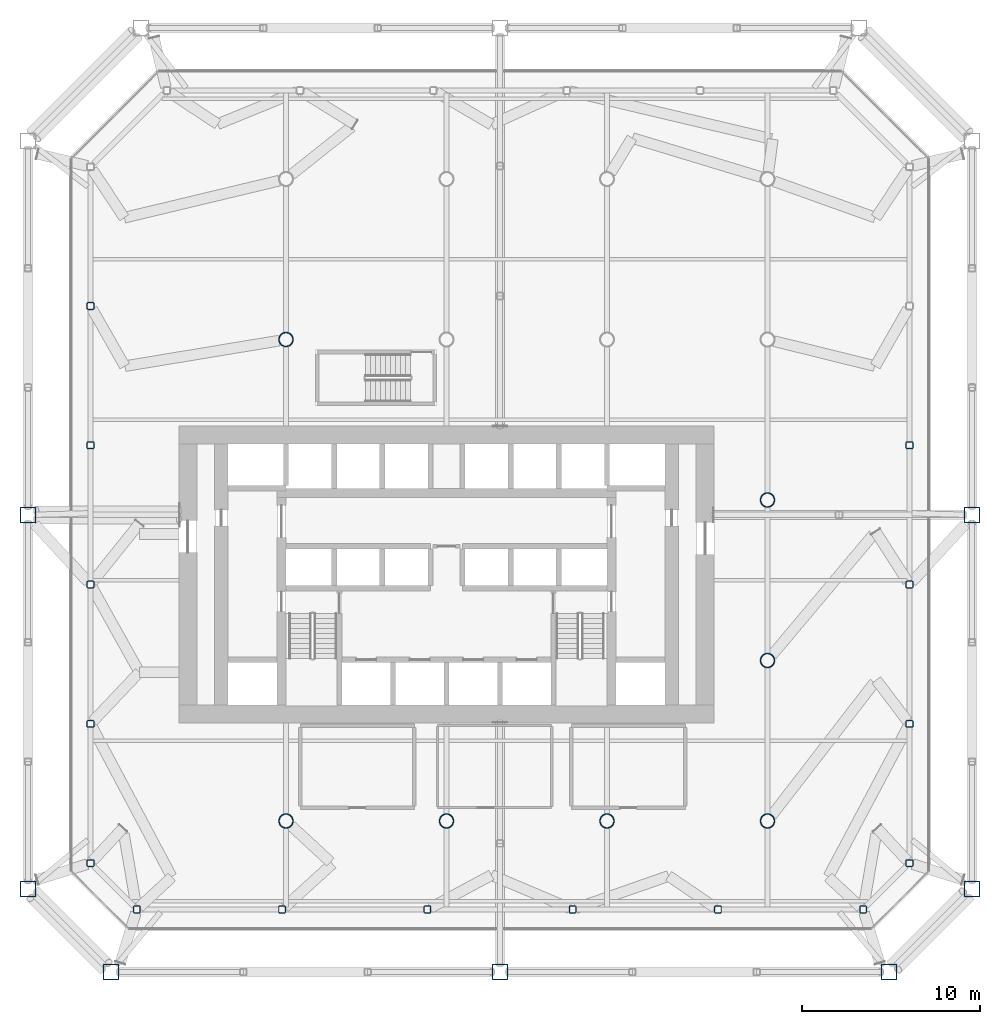
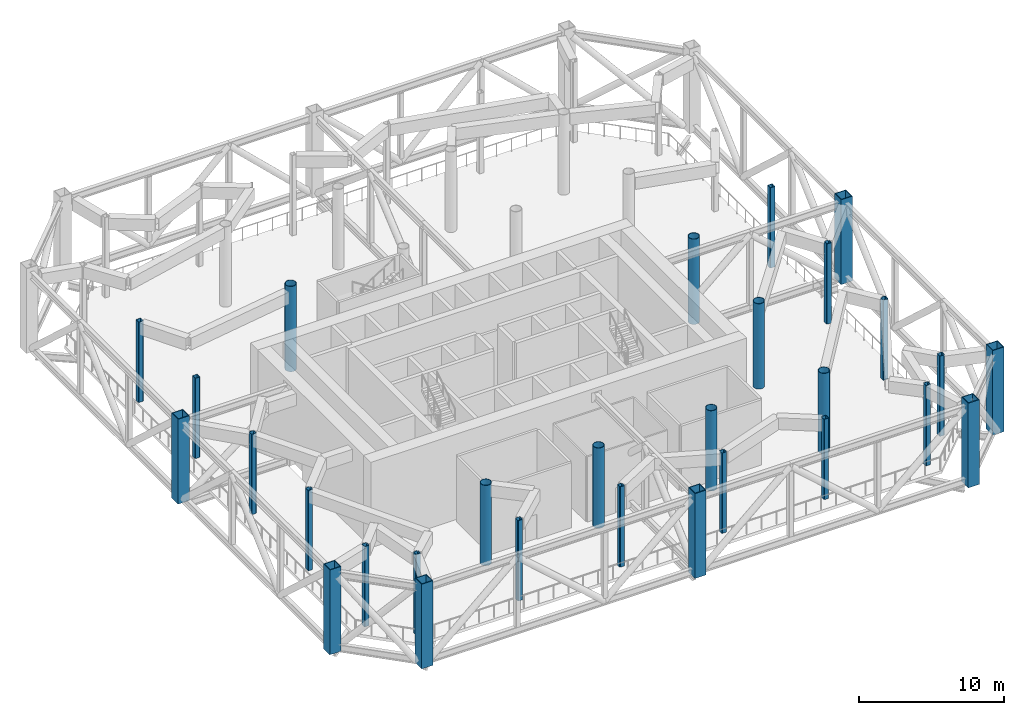
# One storey, part 1 of 20: 29 columns.
"""IFC4 building model written with IfcOpenShell, lengths in metres."""

from ifc_helpers import new_model, si_unit, direction, frame, origin, origin_2d, place, context, subcontext, project, spatial, hollow_rectangle, hollow_circle, extrude, material, material_profile, profile_set, type_object, element, save


model = new_model("IFC4")

# Units and contexts
model_context = context("Model", 3, precision=1e-05, world=origin(), true_north=direction((0.0, 1.0)))
body_context = subcontext(model_context, "Body", "Model", "MODEL_VIEW")
ifc_project = project(units=[si_unit("LENGTHUNIT", "METRE"), si_unit("AREAUNIT", "SQUARE_METRE"), si_unit("VOLUMEUNIT", "CUBIC_METRE"), si_unit("PLANEANGLEUNIT", "RADIAN"), si_unit("MASSUNIT", "GRAM", prefix="KILO")], contexts=[model_context])

# Site, building, storey
site_placement = place(None, origin())
site = spatial("IfcSite", under=ifc_project, at=site_placement, CompositionType="ELEMENT")
building_placement = place(site_placement, origin())
building = spatial("IfcBuilding", under=site, at=building_placement, Name="Tskaro Facet Tower", CompositionType="ELEMENT")
storey_placement = place(building_placement, frame((0.0, 0.0, 114.300048828125)))
storey = spatial("IfcBuildingStorey", under=building, at=storey_placement, Name="L27", CompositionType="ELEMENT", Elevation=114.300048828125)

# Columns
ifc_material_1 = material(Name="Steel S460M", Category="steel")
ifc_material_profile_1 = material_profile(ifc_material_1, hollow_rectangle(XDim=0.89990234375, YDim=0.89990234375, WallThickness=0.054931640625, at=origin_2d()), Name="BOX 900x900x55")
ifc_profile_set_1 = profile_set([ifc_material_profile_1], Name="Steel S460M")
column_type_1 = type_object("IfcColumnType", Name="BOX 900x900x55 mega column", PredefinedType="COLUMN", material=ifc_profile_set_1)
column_1_placement = place(storey_placement, frame((-18.81494140625, -26.467041015625, 0.0), z_axis=(0.0, 0.0, 1.0), x_axis=(1.0, 0.0, 0.0)))
element("IfcColumn", 1, at=column_1_placement, inside=storey, type_object=column_type_1, Name="BOX 900x900x55 MC01/2T", PredefinedType="COLUMN", context=body_context, shape_type="SweptSolid", body=[
    extrude(hollow_rectangle(XDim=0.89990234375, YDim=0.89990234375, WallThickness=0.054931640625, at=origin_2d()), origin(), (0.0, 0.0, 1.0), 7.150390625),
])
column_2_placement = place(storey_placement, frame((3.0, -26.467041015625, 0.0), z_axis=(0.0, 0.0, 1.0), x_axis=(1.0, 0.0, 0.0)))
element("IfcColumn", 2, at=column_2_placement, inside=storey, type_object=column_type_1, Name="BOX 900x900x55 MC02/2T", PredefinedType="COLUMN", context=body_context, shape_type="SweptSolid", body=[
    extrude(hollow_rectangle(XDim=0.89990234375, YDim=0.89990234375, WallThickness=0.054931640625, at=origin_2d()), origin(), (0.0, 0.0, 1.0), 7.16259765625),
])
for number, where, z_axis, x_axis, name in (
    (3, (24.81494140625, -26.467041015625, 0.0), (0.0, 0.0, 1.0), (1.0, 0.0, 0.0), "BOX 900x900x55 MC03/2T"),
    (4, (29.467041015625, -21.81494140625, 0.0), (0.0, 0.0, 1.0), (1.0, 0.0, 0.0), "BOX 900x900x55 MC04/2T"),
):
    element("IfcColumn", number, at=place(storey_placement, frame(where, z_axis=z_axis, x_axis=x_axis)), inside=storey, type_object=column_type_1, Name=name, PredefinedType="COLUMN", context=body_context, shape_type="SweptSolid", body=[
        extrude(hollow_rectangle(XDim=0.89990234375, YDim=0.89990234375, WallThickness=0.054931640625, at=origin_2d()), origin(), (0.0, 0.0, 1.0), 7.150390625),
    ])
for number, where, z_axis, x_axis, name in (
    (5, (29.467041015625, -0.8369140625, 0.0), (0.0, 0.0, 1.0), (1.0, 0.0, 0.0), "BOX 900x900x55 MC05/2T"),
    (6, (-23.467041015625, -0.8369140625, 0.0), (0.0, 0.0, 1.0), (1.0, 0.0, 0.0), "BOX 900x900x55 MC11/2T"),
):
    element("IfcColumn", number, at=place(storey_placement, frame(where, z_axis=z_axis, x_axis=x_axis)), inside=storey, type_object=column_type_1, Name=name, PredefinedType="COLUMN", context=body_context, shape_type="SweptSolid", body=[
        extrude(hollow_rectangle(XDim=0.89990234375, YDim=0.89990234375, WallThickness=0.054931640625, at=origin_2d()), origin(), (0.0, 0.0, 1.0), 7.162109375),
    ])
column_3_placement = place(storey_placement, frame((-23.467041015625, -21.81494140625, 0.0), z_axis=(0.0, 0.0, 1.0), x_axis=(1.0, 0.0, 0.0)))
element("IfcColumn", 7, at=column_3_placement, inside=storey, type_object=column_type_1, Name="BOX 900x900x55 MC12/2T", PredefinedType="COLUMN", context=body_context, shape_type="SweptSolid", body=[
    extrude(hollow_rectangle(XDim=0.89990234375, YDim=0.89990234375, WallThickness=0.054931640625, at=origin_2d()), origin(), (0.0, 0.0, 1.0), 7.150390625),
])
ifc_material_2 = material(Name="Steel S355J2H", Category="steel")
ifc_material_profile_2 = material_profile(ifc_material_2, hollow_circle(Radius=0.406494140625, WallThickness=0.035888671875, at=origin_2d()), Name="CHS 812.8x36")
ifc_profile_set_2 = profile_set([ifc_material_profile_2], Name="Steel S355J2H")
column_type_2 = type_object("IfcColumnType", Name="CHS 812.8x36 interior column", PredefinedType="COLUMN", material=ifc_profile_set_2)
column_4_placement = place(storey_placement, frame((-9.0, -18.0, 0.0), z_axis=(0.0, 0.0, 1.0), x_axis=(1.0, 0.0, 0.0)))
element("IfcColumn", 8, at=column_4_placement, inside=storey, type_object=column_type_2, Name="CHS 812.8x36 C3B/2", PredefinedType="COLUMN", context=body_context, shape_type="SweptSolid", body=[
    extrude(hollow_circle(Radius=0.406494140625, WallThickness=0.035888671875, at=origin_2d()), origin(), (0.0, 0.0, 1.0), 6.780029296875),
])
column_5_placement = place(storey_placement, frame((-9.0, 9.0, 0.0), z_axis=(0.0, 0.0, 1.0), x_axis=(1.0, 0.0, 0.0)))
element("IfcColumn", 9, at=column_5_placement, inside=storey, type_object=column_type_2, Name="CHS 812.8x36 C3E/2", PredefinedType="COLUMN", context=body_context, shape_type="SweptSolid", body=[
    extrude(hollow_circle(Radius=0.406494140625, WallThickness=0.035888671875, at=origin_2d()), origin(), (0.0, 0.0, 1.0), 7.199951171875),
])
for number, where, z_axis, x_axis, name in (
    (10, (0.0, -18.0, 0.0), (0.0, 0.0, 1.0), (1.0, 0.0, 0.0), "CHS 812.8x36 C4B/2"),
    (11, (9.0, -18.0, 0.0), (0.0, 0.0, 1.0), (1.0, 0.0, 0.0), "CHS 812.8x36 C5B/2"),
    (12, (18.0, -18.0, 0.0), (0.0, 0.0, 1.0), (1.0, 0.0, 0.0), "CHS 812.8x36 C6B/2"),
):
    element("IfcColumn", number, at=place(storey_placement, frame(where, z_axis=z_axis, x_axis=x_axis)), inside=storey, type_object=column_type_2, Name=name, PredefinedType="COLUMN", context=body_context, shape_type="SweptSolid", body=[
        extrude(hollow_circle(Radius=0.406494140625, WallThickness=0.035888671875, at=origin_2d()), origin(), (0.0, 0.0, 1.0), 6.780029296875),
    ])
for number, where, z_axis, x_axis, name in (
    (13, (18.0, -9.0, 0.0), (0.0, 0.0, 1.0), (1.0, 0.0, 0.0), "CHS 812.8x36 C6C/2"),
    (14, (18.0, 0.0, 0.0), (0.0, 0.0, 1.0), (1.0, 0.0, 0.0), "CHS 812.8x36 C6D/2"),
):
    element("IfcColumn", number, at=place(storey_placement, frame(where, z_axis=z_axis, x_axis=x_axis)), inside=storey, type_object=column_type_2, Name=name, PredefinedType="COLUMN", context=body_context, shape_type="SweptSolid", body=[
        extrude(hollow_circle(Radius=0.406494140625, WallThickness=0.035888671875, at=origin_2d()), origin(), (0.0, 0.0, 1.0), 7.199951171875),
    ])
ifc_material_profile_3 = material_profile(ifc_material_2, hollow_rectangle(XDim=0.39990234375, YDim=0.39990234375, WallThickness=0.02490234375, InnerFilletRadius=0.03759765625, OuterFilletRadius=0.0625, at=origin_2d()), Name="SHS 400x400x25")
ifc_profile_set_3 = profile_set([ifc_material_profile_3], Name="Steel S355J2H")
column_type_3 = type_object("IfcColumnType", Name="SHS 400x400x25 ring column", PredefinedType="COLUMN", material=ifc_profile_set_3)
for number, where, z_axis, x_axis, name in (
    (15, (-17.364013671875, -22.965087890625, 0.0), (0.0, 0.0, 1.0), (1.0, 0.0, 0.0), "SHS 400x400x25 RS-1/2"),
    (16, (-9.218017578125, -22.965087890625, 0.0), (0.0, 0.0, 1.0), (1.0, 0.0, 0.0), "SHS 400x400x25 RS-2/2"),
    (17, (-1.072998046875, -22.965087890625, 0.0), (0.0, 0.0, 1.0), (1.0, 0.0, 0.0), "SHS 400x400x25 RS-3/2"),
    (18, (7.072998046875, -22.965087890625, 0.0), (0.0, 0.0, 1.0), (1.0, 0.0, 0.0), "SHS 400x400x25 RS-4/2"),
    (19, (15.218017578125, -22.965087890625, 0.0), (0.0, 0.0, 1.0), (1.0, 0.0, 0.0), "SHS 400x400x25 RS-5/2"),
    (20, (23.364013671875, -22.965087890625, 0.0), (0.0, 0.0, 1.0), (1.0, 0.0, 0.0), "SHS 400x400x25 RSE-1/2"),
    (21, (25.965087890625, -20.364013671875, 0.0), (0.0, 0.0, 1.0), (1.0, 0.0, 0.0), "SHS 400x400x25 RE-1/2"),
    (22, (25.965087890625, -12.552978515625, 0.0), (0.0, 0.0, 1.0), (1.0, 0.0, 0.0), "SHS 400x400x25 RE-2/2"),
    (23, (25.965087890625, -4.741943359375, 0.0), (0.0, 0.0, 1.0), (1.0, 0.0, 0.0), "SHS 400x400x25 RE-3/2"),
    (24, (25.965087890625, 3.068115234375, 0.0), (0.0, 0.0, 1.0), (1.0, 0.0, 0.0), "SHS 400x400x25 RE-4/2"),
    (25, (-19.965087890625, 10.87890625, 0.0), (0.0, 0.0, 1.0), (1.0, 0.0, 0.0), "SHS 400x400x25 RW-2/2"),
    (26, (-19.965087890625, 3.068115234375, 0.0), (0.0, 0.0, 1.0), (1.0, 0.0, 0.0), "SHS 400x400x25 RW-3/2"),
    (27, (-19.965087890625, -4.741943359375, 0.0), (0.0, 0.0, 1.0), (1.0, 0.0, 0.0), "SHS 400x400x25 RW-4/2"),
    (28, (-19.965087890625, -12.552978515625, 0.0), (0.0, 0.0, 1.0), (1.0, 0.0, 0.0), "SHS 400x400x25 RW-5/2"),
    (29, (-19.965087890625, -20.364013671875, 0.0), (0.0, 0.0, 1.0), (1.0, 0.0, 0.0), "SHS 400x400x25 RSW-1/2"),
):
    element("IfcColumn", number, at=place(storey_placement, frame(where, z_axis=z_axis, x_axis=x_axis)), inside=storey, type_object=column_type_3, Name=name, PredefinedType="COLUMN", context=body_context, shape_type="SweptSolid", body=[
        extrude(hollow_rectangle(XDim=0.39990234375, YDim=0.39990234375, WallThickness=0.02490234375, InnerFilletRadius=0.03759765625, OuterFilletRadius=0.0625, at=origin_2d()), origin(), (0.0, 0.0, 1.0), 6.780029296875),
    ])

save(model, "model.ifc")
